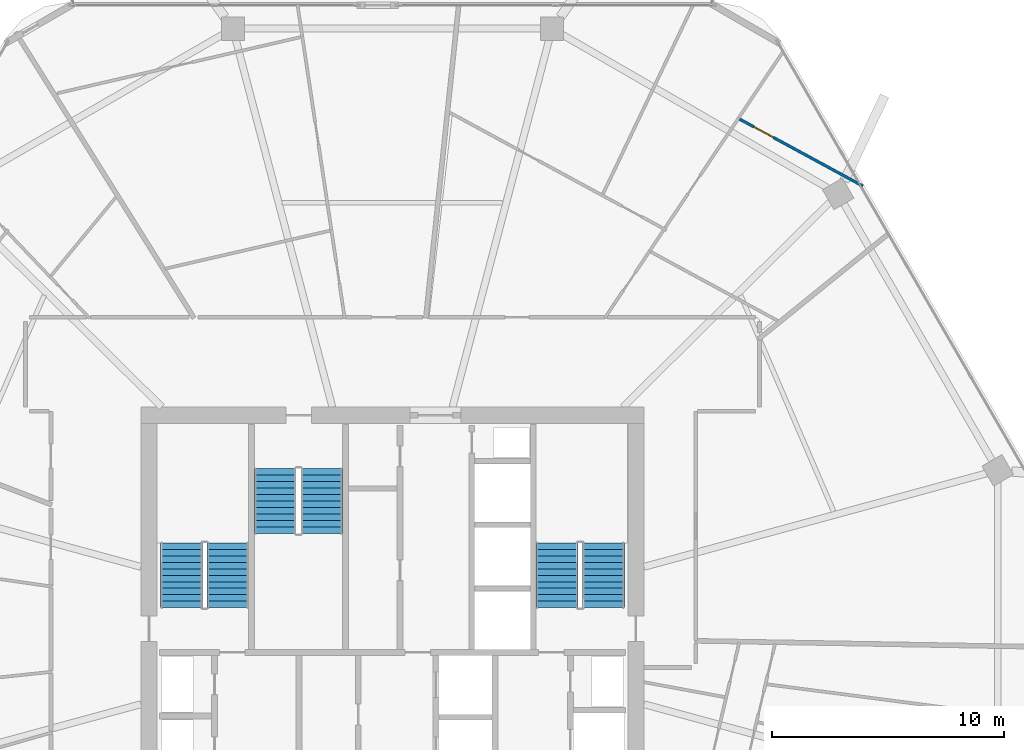
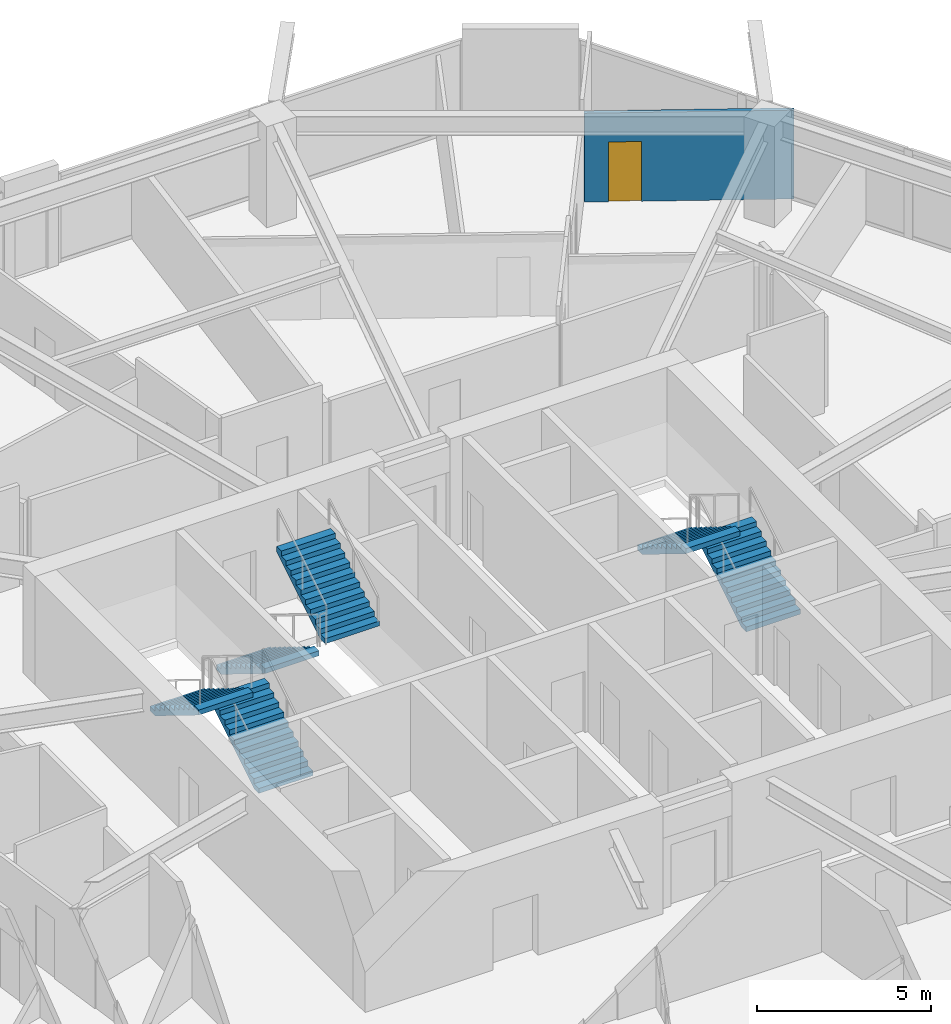
# One storey, part 24 of 27: 6 stair flights, 1 door, 1 wall, 1 opening, 3 elements without a shape of their own.
"""IFC4 building model written with IfcOpenShell, lengths in metres."""

from ifc_helpers import new_model, si_unit, direction, frame, frame_2d, origin, place, context, subcontext, project, spatial, polyline, rectangle, outline, extrude, material, layer, layer_set, type_object, element, fill, aggregate, save


model = new_model("IFC4")

# Units and contexts
model_context = context("Model", 3, precision=1e-05, world=origin(), true_north=direction((0.0, 1.0)))
body_context = subcontext(model_context, "Body", "Model", "MODEL_VIEW")
ifc_project = project(units=[si_unit("LENGTHUNIT", "METRE"), si_unit("AREAUNIT", "SQUARE_METRE"), si_unit("VOLUMEUNIT", "CUBIC_METRE"), si_unit("PLANEANGLEUNIT", "RADIAN"), si_unit("MASSUNIT", "GRAM", prefix="KILO")], contexts=[model_context])

# Site, building, storey
site_placement = place(None, origin())
site = spatial("IfcSite", under=ifc_project, at=site_placement, CompositionType="ELEMENT")
building_placement = place(site_placement, origin())
building = spatial("IfcBuilding", under=site, at=building_placement, Name="Zuhravey Tower", CompositionType="ELEMENT")
storey_placement = place(building_placement, frame((0.0, 0.0, 173.199951171875)))
storey = spatial("IfcBuildingStorey", under=building, at=storey_placement, Name="L43", CompositionType="ELEMENT", Elevation=173.199951171875)

# Wall, opening, door
ifc_material_1 = material(Name="Gypsum metal-stud partition")
ifc_layer = layer(ifc_material_1, 0.1201171875)
ifc_layer_set = layer_set([ifc_layer], Name="Gypsum metal-stud partition")
wall_type = type_object("IfcWallType", Name="Unit Internal Partition 120", PredefinedType="PARTITIONING", material=ifc_layer_set)
wall_placement = place(storey_placement, frame((56.28564453125, 51.390380859375, 0.0), z_axis=(0.0, 0.0, 1.0), x_axis=(-0.878808858822, 0.477173961628, 0.0)))
wall = element("IfcWall", 1, at=wall_placement, inside=storey, type_object=wall_type, Name="L43 IW12 Partition 024", PredefinedType="PARTITIONING", context=body_context, shape_type="SweptSolid", body=[
    extrude(rectangle(XDim=6.037353515625, YDim=0.1201171875, at=frame_2d((3.0185546875, 0.0))), origin(), (0.0, 0.0, 1.0), 3.1220703125),
])
opening_placement = place(wall_placement, frame((4.387939453125, 0.0, 0.0)))
opening = element("IfcOpeningElement", 2, at=opening_placement, cuts=wall, Name="Opening IND1", PredefinedType="OPENING", context=body_context, shape_type="SweptSolid", body=[
    extrude(rectangle(XDim=0.949951171875, YDim=2.10009765625, at=frame_2d((0.47509765625, 1.050048828125))), frame((0.0, 0.072021484375, 0.0), z_axis=(0.0, -1.0, 0.0), x_axis=(1.0, 0.0, 0.0)), (0.0, 0.0, 1.0), 0.14404296875),
])
ifc_material_2 = material(Name="Painted engineered timber leaf", Category="wood")
door_type = type_object("IfcDoorType", Name="Internal Room & Bedroom Door 950x2100", OperationType="NOTDEFINED", PredefinedType="DOOR", material=ifc_material_2)
door_placement = place(opening_placement, frame((0.949951171875, 0.0, 0.0), z_axis=(0.0, 0.0, 1.0), x_axis=(-1.0, 0.0, 0.0)))
door = element("IfcDoor", 3, at=door_placement, inside=storey, type_object=door_type, Name="Apartment L43-01 Bedroom 1 Door", OperationType="SINGLE_SWING_RIGHT", OverallHeight=2.10009765625, OverallWidth=0.949951171875, PredefinedType="DOOR", context=body_context, shape_type="SweptSolid", body=[
    extrude(rectangle(XDim=0.949951171875, YDim=2.10009765625, at=frame_2d((0.47509765625, 1.050048828125))), frame((0.0, 0.02490234375, 0.0), z_axis=(0.0, -1.0, 0.0), x_axis=(1.0, 0.0, 0.0)), (0.0, 0.0, 1.0), 0.050048828125),
])
fill(opening, door)

# Stair, stair flights
ifc_material_3 = material(Name="Concrete C40/50", Category="concrete")
stair_type = type_object("IfcStairType", Name="Housing Storey Stair Assembly 3800", PredefinedType="HALF_TURN_STAIR", material=ifc_material_3)
stair_1_placement = place(storey_placement, origin())
stair_1 = element("IfcStair", 4, at=stair_1_placement, inside=storey, type_object=stair_type, Name="L43 Core Exit Stair ST1", PredefinedType="HALF_TURN_STAIR")
stair_flight_type = type_object("IfcStairFlightType", Name="Housing Storey Stair Flight 3800", PredefinedType="STRAIGHT", material=ifc_material_3)
stair_flight_1_placement = place(storey_placement, frame((28.89990234375, 33.199951171875, 0.0), z_axis=(0.0, 0.0, 1.0), x_axis=(0.0, 1.0, 0.0)))
stair_flight_1 = element("IfcStairFlight", 5, at=stair_flight_1_placement, type_object=stair_flight_type, Name="ST1 flight 1", NumberOfRisers=11, NumberOfTreads=10, PredefinedType="STRAIGHT", RiserHeight=0.172727273, TreadLength=0.28, context=body_context, shape_type="SweptSolid", body=[
    extrude(outline(polyline([(0.0, 0.0), (0.0, 0.172607421875), (0.280029296875, 0.172607421875), (0.280029296875, 0.345458984375), (0.56005859375, 0.345458984375), (0.56005859375, 0.51806640625), (0.840087890625, 0.51806640625), (0.840087890625, 0.69091796875), (1.1201171875, 0.69091796875), (1.1201171875, 0.863525390625), (1.39990234375, 0.863525390625), (1.39990234375, 1.036376953125), (1.679931640625, 1.036376953125), (1.679931640625, 1.208984375), (1.9599609375, 1.208984375), (1.9599609375, 1.3818359375), (2.239990234375, 1.3818359375), (2.239990234375, 1.554443359375), (2.52001953125, 1.554443359375), (2.52001953125, 1.727294921875), (2.800048828125, 1.727294921875), (2.800048828125, 1.89990234375), (2.800048828125, 1.551025390625), (0.285400390625, 0.0), (0.0, 0.0)])), frame((0.0, 0.89990234375, 0.0), z_axis=(0.0, -1.0, 0.0), x_axis=(1.0, 0.0, 0.0)), (0.0, 0.0, 1.0), 1.800048828125),
])
stair_flight_2_placement = place(storey_placement, frame((26.89990234375, 36.0, 1.900146484375), z_axis=(0.0, 0.0, 1.0), x_axis=(0.0, -1.0, 0.0)))
stair_flight_2 = element("IfcStairFlight", 6, at=stair_flight_2_placement, type_object=stair_flight_type, Name="ST1 flight 2", NumberOfRisers=11, NumberOfTreads=10, PredefinedType="STRAIGHT", RiserHeight=0.172727273, TreadLength=0.28, context=body_context, shape_type="SweptSolid", body=[
    extrude(outline(polyline([(0.0, 0.0), (0.0, 0.172607421875), (0.280029296875, 0.172607421875), (0.280029296875, 0.345458984375), (0.56005859375, 0.345458984375), (0.56005859375, 0.51806640625), (0.840087890625, 0.51806640625), (0.840087890625, 0.69091796875), (1.1201171875, 0.69091796875), (1.1201171875, 0.863525390625), (1.39990234375, 0.863525390625), (1.39990234375, 1.036376953125), (1.679931640625, 1.036376953125), (1.679931640625, 1.208984375), (1.9599609375, 1.208984375), (1.9599609375, 1.3818359375), (2.239990234375, 1.3818359375), (2.239990234375, 1.554443359375), (2.52001953125, 1.554443359375), (2.52001953125, 1.727294921875), (2.800048828125, 1.727294921875), (2.800048828125, 1.89990234375), (2.800048828125, 1.551025390625), (0.285400390625, 0.0), (0.0, 0.0)])), frame((0.0, 0.89990234375, 0.0), z_axis=(0.0, -1.0, 0.0), x_axis=(1.0, 0.0, 0.0)), (0.0, 0.0, 1.0), 1.800048828125),
])
aggregate(stair_1, [stair_flight_1, stair_flight_2])

stair_2_placement = place(storey_placement, origin())
stair_2 = element("IfcStair", 7, at=stair_2_placement, inside=storey, type_object=stair_type, Name="L43 Core Exit Stair ST2", PredefinedType="HALF_TURN_STAIR")
stair_flight_3_placement = place(storey_placement, frame((45.10009765625, 33.199951171875, 0.0), z_axis=(0.0, 0.0, 1.0), x_axis=(0.0, 1.0, 0.0)))
stair_flight_3 = element("IfcStairFlight", 8, at=stair_flight_3_placement, type_object=stair_flight_type, Name="ST2 flight 1", NumberOfRisers=11, NumberOfTreads=10, PredefinedType="STRAIGHT", RiserHeight=0.172727273, TreadLength=0.28, context=body_context, shape_type="SweptSolid", body=[
    extrude(outline(polyline([(0.0, 0.0), (0.0, 0.172607421875), (0.280029296875, 0.172607421875), (0.280029296875, 0.345458984375), (0.56005859375, 0.345458984375), (0.56005859375, 0.51806640625), (0.840087890625, 0.51806640625), (0.840087890625, 0.69091796875), (1.1201171875, 0.69091796875), (1.1201171875, 0.863525390625), (1.39990234375, 0.863525390625), (1.39990234375, 1.036376953125), (1.679931640625, 1.036376953125), (1.679931640625, 1.208984375), (1.9599609375, 1.208984375), (1.9599609375, 1.3818359375), (2.239990234375, 1.3818359375), (2.239990234375, 1.554443359375), (2.52001953125, 1.554443359375), (2.52001953125, 1.727294921875), (2.800048828125, 1.727294921875), (2.800048828125, 1.89990234375), (2.800048828125, 1.551025390625), (0.285400390625, 0.0), (0.0, 0.0)])), frame((0.0, 0.89990234375, 0.0), z_axis=(0.0, -1.0, 0.0), x_axis=(1.0, 0.0, 0.0)), (0.0, 0.0, 1.0), 1.800048828125),
])
stair_flight_4_placement = place(storey_placement, frame((43.10009765625, 36.0, 1.900146484375), z_axis=(0.0, 0.0, 1.0), x_axis=(0.0, -1.0, 0.0)))
stair_flight_4 = element("IfcStairFlight", 9, at=stair_flight_4_placement, type_object=stair_flight_type, Name="ST2 flight 2", NumberOfRisers=11, NumberOfTreads=10, PredefinedType="STRAIGHT", RiserHeight=0.172727273, TreadLength=0.28, context=body_context, shape_type="SweptSolid", body=[
    extrude(outline(polyline([(0.0, 0.0), (0.0, 0.172607421875), (0.280029296875, 0.172607421875), (0.280029296875, 0.345458984375), (0.56005859375, 0.345458984375), (0.56005859375, 0.51806640625), (0.840087890625, 0.51806640625), (0.840087890625, 0.69091796875), (1.1201171875, 0.69091796875), (1.1201171875, 0.863525390625), (1.39990234375, 0.863525390625), (1.39990234375, 1.036376953125), (1.679931640625, 1.036376953125), (1.679931640625, 1.208984375), (1.9599609375, 1.208984375), (1.9599609375, 1.3818359375), (2.239990234375, 1.3818359375), (2.239990234375, 1.554443359375), (2.52001953125, 1.554443359375), (2.52001953125, 1.727294921875), (2.800048828125, 1.727294921875), (2.800048828125, 1.89990234375), (2.800048828125, 1.551025390625), (0.285400390625, 0.0), (0.0, 0.0)])), frame((0.0, 0.89990234375, 0.0), z_axis=(0.0, -1.0, 0.0), x_axis=(1.0, 0.0, 0.0)), (0.0, 0.0, 1.0), 1.800048828125),
])
aggregate(stair_2, [stair_flight_3, stair_flight_4])

stair_3_placement = place(storey_placement, origin())
stair_3 = element("IfcStair", 10, at=stair_3_placement, inside=storey, type_object=stair_type, Name="L43 Core Exit Stair ST3", PredefinedType="HALF_TURN_STAIR")
stair_flight_5_placement = place(storey_placement, frame((30.949951171875, 39.199951171875, 0.0), z_axis=(0.0, 0.0, 1.0), x_axis=(0.0, -1.0, 0.0)))
stair_flight_5 = element("IfcStairFlight", 11, at=stair_flight_5_placement, type_object=stair_flight_type, Name="ST3 flight 1", NumberOfRisers=11, NumberOfTreads=10, PredefinedType="STRAIGHT", RiserHeight=0.172727273, TreadLength=0.28, context=body_context, shape_type="SweptSolid", body=[
    extrude(outline(polyline([(0.0, 0.0), (0.0, 0.172607421875), (0.280029296875, 0.172607421875), (0.280029296875, 0.345458984375), (0.56005859375, 0.345458984375), (0.56005859375, 0.51806640625), (0.840087890625, 0.51806640625), (0.840087890625, 0.69091796875), (1.1201171875, 0.69091796875), (1.1201171875, 0.863525390625), (1.39990234375, 0.863525390625), (1.39990234375, 1.036376953125), (1.679931640625, 1.036376953125), (1.679931640625, 1.208984375), (1.9599609375, 1.208984375), (1.9599609375, 1.3818359375), (2.239990234375, 1.3818359375), (2.239990234375, 1.554443359375), (2.52001953125, 1.554443359375), (2.52001953125, 1.727294921875), (2.800048828125, 1.727294921875), (2.800048828125, 1.89990234375), (2.800048828125, 1.551025390625), (0.285400390625, 0.0), (0.0, 0.0)])), frame((0.0, 0.89990234375, 0.0), z_axis=(0.0, -1.0, 0.0), x_axis=(1.0, 0.0, 0.0)), (0.0, 0.0, 1.0), 1.800048828125),
])
stair_flight_6_placement = place(storey_placement, frame((32.949951171875, 36.39990234375, 1.900146484375), z_axis=(0.0, 0.0, 1.0), x_axis=(0.0, 1.0, 0.0)))
stair_flight_6 = element("IfcStairFlight", 12, at=stair_flight_6_placement, type_object=stair_flight_type, Name="ST3 flight 2", NumberOfRisers=11, NumberOfTreads=10, PredefinedType="STRAIGHT", RiserHeight=0.172727273, TreadLength=0.28, context=body_context, shape_type="SweptSolid", body=[
    extrude(outline(polyline([(0.0, 0.0), (0.0, 0.172607421875), (0.280029296875, 0.172607421875), (0.280029296875, 0.345458984375), (0.56005859375, 0.345458984375), (0.56005859375, 0.51806640625), (0.840087890625, 0.51806640625), (0.840087890625, 0.69091796875), (1.1201171875, 0.69091796875), (1.1201171875, 0.863525390625), (1.39990234375, 0.863525390625), (1.39990234375, 1.036376953125), (1.679931640625, 1.036376953125), (1.679931640625, 1.208984375), (1.9599609375, 1.208984375), (1.9599609375, 1.3818359375), (2.239990234375, 1.3818359375), (2.239990234375, 1.554443359375), (2.52001953125, 1.554443359375), (2.52001953125, 1.727294921875), (2.800048828125, 1.727294921875), (2.800048828125, 1.89990234375), (2.800048828125, 1.551025390625), (0.285400390625, 0.0), (0.0, 0.0)])), frame((0.0, 0.89990234375, 0.0), z_axis=(0.0, -1.0, 0.0), x_axis=(1.0, 0.0, 0.0)), (0.0, 0.0, 1.0), 1.800048828125),
])
aggregate(stair_3, [stair_flight_5, stair_flight_6])

save(model, "model.ifc")
